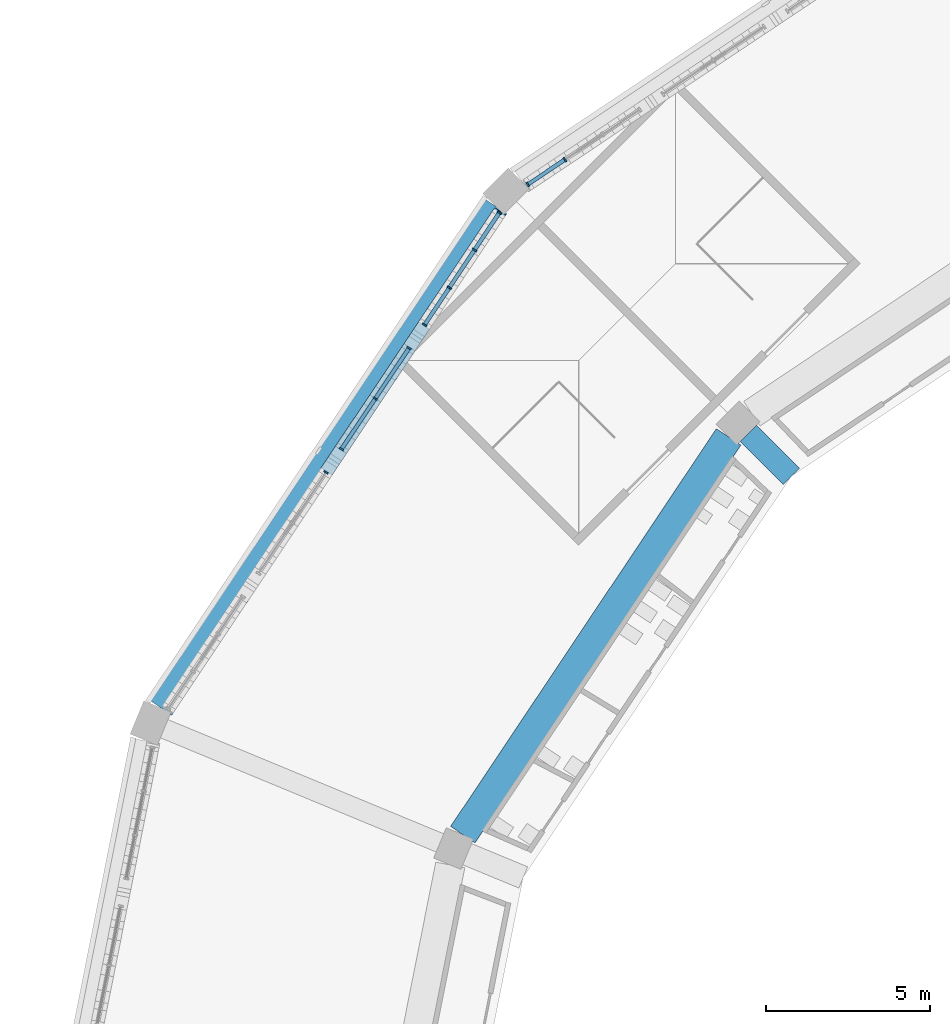
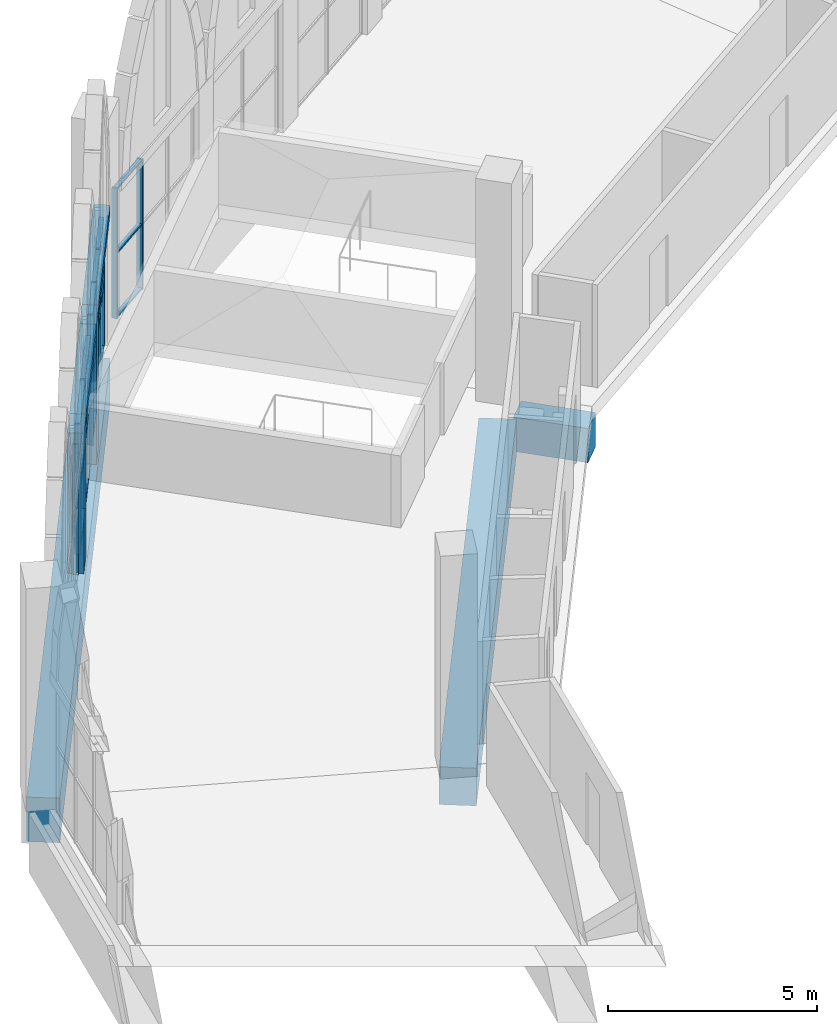
# One storey, part 32 of 130: 30 members, 5 beams, 4 elements without a shape of their own.
"""IFC4 building model written with IfcOpenShell, lengths in metres."""

from ifc_helpers import new_model, si_unit, direction, frame, origin, origin_2d, place, context, subcontext, project, spatial, rectangle, extrude, material, material_profile, profile_set, type_object, element, aggregate, save


model = new_model("IFC4")

# Units and contexts
model_context = context("Model", 3, precision=1e-05, world=origin(), true_north=direction((0.0, 1.0)))
body_context = subcontext(model_context, "Body", "Model", "MODEL_VIEW")
ifc_project = project(units=[si_unit("LENGTHUNIT", "METRE"), si_unit("AREAUNIT", "SQUARE_METRE"), si_unit("VOLUMEUNIT", "CUBIC_METRE"), si_unit("PLANEANGLEUNIT", "RADIAN"), si_unit("MASSUNIT", "GRAM", prefix="KILO")], contexts=[model_context])

# Site, building, storey
site_placement = place(None, origin())
site = spatial("IfcSite", under=ifc_project, at=site_placement, CompositionType="ELEMENT")
building_placement = place(site_placement, origin())
building = spatial("IfcBuilding", under=site, at=building_placement, Name="Ogive Plaza Stadium", CompositionType="ELEMENT")
storey_placement = place(building_placement, frame((0.0, 0.0, 22.5)))
storey = spatial("IfcBuildingStorey", under=building, at=storey_placement, Name="L05", CompositionType="ELEMENT", Elevation=22.5)

# Curtain wall, member
ifc_material_1 = material(Name="Bronze-anodised aluminium with laminated glass", Category="aluminium")
curtain_wall_type = type_object("IfcCurtainWallType", Name="Lancet curtain wall", PredefinedType="NOTDEFINED", material=ifc_material_1)
curtain_wall_1_placement = place(storey_placement, origin())
curtain_wall_1 = element("IfcCurtainWall", 1, at=curtain_wall_1_placement, inside=storey, type_object=curtain_wall_type, Name="CURTAIN WALL B29 L05", PredefinedType="NOTDEFINED")
ifc_material_2 = material(Name="Bronze-anodised aluminium", Category="aluminium")
ifc_material_profile_1 = material_profile(ifc_material_2, rectangle(XDim=0.14990234375, YDim=0.050048828125, at=origin_2d()), Name="AL 150x50")
ifc_profile_set_1 = profile_set([ifc_material_profile_1], Name="Bronze-anodised aluminium")
member_type_1 = type_object("IfcMemberType", Name="Curtain wall mullion 50x150", PredefinedType="MULLION", material=ifc_profile_set_1)
member_1_placement = place(storey_placement, frame((-74.844482421875, 79.2802734375, 0.0), z_axis=(0.0, 0.0, 1.0), x_axis=(-0.831469612157, 0.555570233237, 0.0)))
member_1 = element("IfcMember", 2, at=member_1_placement, type_object=member_type_1, Name="CW-B29-L05.2 mullion 3", PredefinedType="MULLION", context=body_context, shape_type="SweptSolid", body=[
    extrude(rectangle(XDim=0.14990234375, YDim=0.050048828125, at=origin_2d()), origin(), (0.0, 0.0, 1.0), 3.800048828125),
])
aggregate(curtain_wall_1, [member_1])

# Curtain wall, members
curtain_wall_2_placement = place(storey_placement, origin())
curtain_wall_2 = element("IfcCurtainWall", 3, at=curtain_wall_2_placement, inside=storey, type_object=curtain_wall_type, Name="CURTAIN WALL B29 L05", PredefinedType="NOTDEFINED")
member_2_placement = place(storey_placement, frame((-74.372314453125, 79.987060546875, 0.0), z_axis=(0.0, 0.0, 1.0), x_axis=(-0.831469612235, 0.555570233121, 0.0)))
member_2 = element("IfcMember", 4, at=member_2_placement, type_object=member_type_1, Name="CW-B29-L05.3 mullion 1", PredefinedType="MULLION", context=body_context, shape_type="SweptSolid", body=[
    extrude(rectangle(XDim=0.14990234375, YDim=0.050048828125, at=origin_2d()), origin(), (0.0, 0.0, 1.0), 3.800048828125),
])
member_3_placement = place(storey_placement, frame((-73.342529296875, 81.528076171875, 0.0), z_axis=(0.0, 0.0, 1.0), x_axis=(-0.831469612235, 0.555570233121, 0.0)))
member_3 = element("IfcMember", 5, at=member_3_placement, type_object=member_type_1, Name="CW-B29-L05.3 mullion 2", PredefinedType="MULLION", context=body_context, shape_type="SweptSolid", body=[
    extrude(rectangle(XDim=0.14990234375, YDim=0.050048828125, at=origin_2d()), origin(), (0.0, 0.0, 1.0), 3.800048828125),
])
member_4_placement = place(storey_placement, frame((-72.312744140625, 83.0693359375, 0.0), z_axis=(0.0, 0.0, 1.0), x_axis=(-0.831469612235, 0.555570233121, 0.0)))
member_4 = element("IfcMember", 6, at=member_4_placement, type_object=member_type_1, Name="CW-B29-L05.3 mullion 3", PredefinedType="MULLION", context=body_context, shape_type="SweptSolid", body=[
    extrude(rectangle(XDim=0.14990234375, YDim=0.050048828125, at=origin_2d()), origin(), (0.0, 0.0, 1.0), 3.800048828125),
])

curtain_wall_3_placement = place(storey_placement, origin())
curtain_wall_3 = element("IfcCurtainWall", 7, at=curtain_wall_3_placement, inside=storey, type_object=curtain_wall_type, Name="CURTAIN WALL B29 L05", PredefinedType="NOTDEFINED")
member_5_placement = place(storey_placement, frame((-71.840576171875, 83.776123046875, 0.0), z_axis=(0.0, 0.0, 1.0), x_axis=(-0.831469612312, 0.555570233005, 0.0)))
member_5 = element("IfcMember", 8, at=member_5_placement, type_object=member_type_1, Name="CW-B29-L05.4 mullion 1", PredefinedType="MULLION", context=body_context, shape_type="SweptSolid", body=[
    extrude(rectangle(XDim=0.14990234375, YDim=0.050048828125, at=origin_2d()), origin(), (0.0, 0.0, 1.0), 3.800048828125),
])
member_6_placement = place(storey_placement, frame((-71.08447265625, 84.907470703125, 0.0), z_axis=(0.0, 0.0, 1.0), x_axis=(-0.831469612312, 0.555570233005, 0.0)))
member_6 = element("IfcMember", 9, at=member_6_placement, type_object=member_type_1, Name="CW-B29-L05.4 mullion 2", PredefinedType="MULLION", context=body_context, shape_type="SweptSolid", body=[
    extrude(rectangle(XDim=0.14990234375, YDim=0.050048828125, at=origin_2d()), origin(), (0.0, 0.0, 1.0), 3.800048828125),
])
member_7_placement = place(storey_placement, frame((-70.314697265625, 86.0595703125, 0.0), z_axis=(0.0, 0.0, 1.0), x_axis=(-0.831469612312, 0.555570233005, 0.0)))
member_7 = element("IfcMember", 10, at=member_7_placement, type_object=member_type_1, Name="CW-B29-L05.4 mullion 3", PredefinedType="MULLION", context=body_context, shape_type="SweptSolid", body=[
    extrude(rectangle(XDim=0.14990234375, YDim=0.050048828125, at=origin_2d()), origin(), (0.0, 0.0, 1.0), 3.800048828125),
])
member_8_placement = place(storey_placement, frame((-69.55859375, 87.19091796875, 0.0), z_axis=(0.0, 0.0, 1.0), x_axis=(-0.831469612312, 0.555570233005, 0.0)))
member_8 = element("IfcMember", 11, at=member_8_placement, type_object=member_type_1, Name="CW-B29-L05.4 mullion 4", PredefinedType="MULLION", context=body_context, shape_type="SweptSolid", body=[
    extrude(rectangle(XDim=0.14990234375, YDim=0.050048828125, at=origin_2d()), origin(), (0.0, 0.0, 1.0), 3.800048828125),
])

curtain_wall_4_placement = place(storey_placement, origin())
curtain_wall_4 = element("IfcCurtainWall", 12, at=curtain_wall_4_placement, inside=storey, type_object=curtain_wall_type, Name="CURTAIN WALL B30 L05", PredefinedType="NOTDEFINED")
member_9_placement = place(storey_placement, frame((-68.69091796875, 88.05859375, 0.0), z_axis=(0.0, 0.0, 1.0), x_axis=(-0.555570233005, 0.831469612312, 0.0)))
member_9 = element("IfcMember", 13, at=member_9_placement, type_object=member_type_1, Name="CW-B30-L05.1 mullion 1", PredefinedType="MULLION", context=body_context, shape_type="SweptSolid", body=[
    extrude(rectangle(XDim=0.14990234375, YDim=0.050048828125, at=origin_2d()), origin(), (0.0, 0.0, 1.0), 3.800048828125),
])
member_10_placement = place(storey_placement, frame((-67.5595703125, 88.814697265625, 0.0), z_axis=(0.0, 0.0, 1.0), x_axis=(-0.555570233005, 0.831469612312, 0.0)))
member_10 = element("IfcMember", 14, at=member_10_placement, type_object=member_type_1, Name="CW-B30-L05.1 mullion 2", PredefinedType="MULLION", context=body_context, shape_type="SweptSolid", body=[
    extrude(rectangle(XDim=0.14990234375, YDim=0.050048828125, at=origin_2d()), origin(), (0.0, 0.0, 1.0), 3.800048828125),
])

# Member
ifc_material_3 = material(Name="Bronze-anodised aluminium", Category="aluminium")
ifc_material_profile_2 = material_profile(ifc_material_3, rectangle(XDim=0.1201171875, YDim=0.050048828125, at=origin_2d()), Name="AL 120x50")
ifc_profile_set_2 = profile_set([ifc_material_profile_2], Name="Bronze-anodised aluminium")
member_type_2 = type_object("IfcMemberType", Name="Curtain wall transom 50x120", PredefinedType="USERDEFINED", material=ifc_profile_set_2)
member_11_placement = place(storey_placement, frame((-74.3583984375, 80.0078125, 0.02490234375), z_axis=(0.555574613559, 0.831466685303, 0.0), x_axis=(-0.831466685303, 0.555574613559, 0.0)))
member_11 = element("IfcMember", 15, at=member_11_placement, type_object=member_type_2, Name="CW-B29-L05.3 transom 1.1", ObjectType="TRANSOM", PredefinedType="USERDEFINED", context=body_context, shape_type="SweptSolid", body=[
    extrude(rectangle(XDim=0.1201171875, YDim=0.050048828125, at=origin_2d()), origin(), (0.0, 0.0, 1.0), 1.803466796875),
])

member_12_placement = place(storey_placement, frame((-74.3583984375, 80.0078125, 1.89990234375), z_axis=(0.555574613559, 0.831466685303, 0.0), x_axis=(-0.831466685303, 0.555574613559, 0.0)))
member_12 = element("IfcMember", 16, at=member_12_placement, type_object=member_type_2, Name="CW-B29-L05.3 transom 1.2", ObjectType="TRANSOM", PredefinedType="USERDEFINED", context=body_context, shape_type="SweptSolid", body=[
    extrude(rectangle(XDim=0.1201171875, YDim=0.050048828125, at=origin_2d()), origin(), (0.0, 0.0, 1.0), 1.803466796875),
])

member_13_placement = place(storey_placement, frame((-74.3583984375, 80.0078125, 3.77490234375), z_axis=(0.555574613559, 0.831466685303, 0.0), x_axis=(-0.831466685303, 0.555574613559, 0.0)))
member_13 = element("IfcMember", 17, at=member_13_placement, type_object=member_type_2, Name="CW-B29-L05.3 transom 1.3", ObjectType="TRANSOM", PredefinedType="USERDEFINED", context=body_context, shape_type="SweptSolid", body=[
    extrude(rectangle(XDim=0.1201171875, YDim=0.050048828125, at=origin_2d()), origin(), (0.0, 0.0, 1.0), 1.803466796875),
])

member_14_placement = place(storey_placement, frame((-73.32861328125, 81.549072265625, 0.02490234375), z_axis=(0.555574613559, 0.831466685303, 0.0), x_axis=(-0.831466685303, 0.555574613559, 0.0)))
member_14 = element("IfcMember", 18, at=member_14_placement, type_object=member_type_2, Name="CW-B29-L05.3 transom 2.1", ObjectType="TRANSOM", PredefinedType="USERDEFINED", context=body_context, shape_type="SweptSolid", body=[
    extrude(rectangle(XDim=0.1201171875, YDim=0.050048828125, at=origin_2d()), origin(), (0.0, 0.0, 1.0), 1.803466796875),
])

member_15_placement = place(storey_placement, frame((-73.32861328125, 81.549072265625, 1.89990234375), z_axis=(0.555574613559, 0.831466685303, 0.0), x_axis=(-0.831466685303, 0.555574613559, 0.0)))
member_15 = element("IfcMember", 19, at=member_15_placement, type_object=member_type_2, Name="CW-B29-L05.3 transom 2.2", ObjectType="TRANSOM", PredefinedType="USERDEFINED", context=body_context, shape_type="SweptSolid", body=[
    extrude(rectangle(XDim=0.1201171875, YDim=0.050048828125, at=origin_2d()), origin(), (0.0, 0.0, 1.0), 1.803466796875),
])

member_16_placement = place(storey_placement, frame((-73.32861328125, 81.549072265625, 3.77490234375), z_axis=(0.555574613559, 0.831466685303, 0.0), x_axis=(-0.831466685303, 0.555574613559, 0.0)))
member_16 = element("IfcMember", 20, at=member_16_placement, type_object=member_type_2, Name="CW-B29-L05.3 transom 2.3", ObjectType="TRANSOM", PredefinedType="USERDEFINED", context=body_context, shape_type="SweptSolid", body=[
    extrude(rectangle(XDim=0.1201171875, YDim=0.050048828125, at=origin_2d()), origin(), (0.0, 0.0, 1.0), 1.803466796875),
])

aggregate(curtain_wall_2, [member_2, member_3, member_4, member_11, member_12, member_13, member_14, member_15, member_16])

member_17_placement = place(storey_placement, frame((-71.82666015625, 83.796875, 0.02490234375), z_axis=(0.555602496438, 0.83144805367, 0.0), x_axis=(-0.83144805367, 0.555602496438, 0.0)))
member_17 = element("IfcMember", 21, at=member_17_placement, type_object=member_type_2, Name="CW-B29-L05.4 transom 1.1", ObjectType="TRANSOM", PredefinedType="USERDEFINED", context=body_context, shape_type="SweptSolid", body=[
    extrude(rectangle(XDim=0.1201171875, YDim=0.050048828125, at=origin_2d()), origin(), (0.0, 0.0, 1.0), 1.310791015625),
])

member_18_placement = place(storey_placement, frame((-71.82666015625, 83.796875, 1.89990234375), z_axis=(0.555602496438, 0.83144805367, 0.0), x_axis=(-0.83144805367, 0.555602496438, 0.0)))
member_18 = element("IfcMember", 22, at=member_18_placement, type_object=member_type_2, Name="CW-B29-L05.4 transom 1.2", ObjectType="TRANSOM", PredefinedType="USERDEFINED", context=body_context, shape_type="SweptSolid", body=[
    extrude(rectangle(XDim=0.1201171875, YDim=0.050048828125, at=origin_2d()), origin(), (0.0, 0.0, 1.0), 1.310791015625),
])

member_19_placement = place(storey_placement, frame((-71.82666015625, 83.796875, 3.77490234375), z_axis=(0.555602496438, 0.83144805367, 0.0), x_axis=(-0.83144805367, 0.555602496438, 0.0)))
member_19 = element("IfcMember", 23, at=member_19_placement, type_object=member_type_2, Name="CW-B29-L05.4 transom 1.3", ObjectType="TRANSOM", PredefinedType="USERDEFINED", context=body_context, shape_type="SweptSolid", body=[
    extrude(rectangle(XDim=0.1201171875, YDim=0.050048828125, at=origin_2d()), origin(), (0.0, 0.0, 1.0), 1.310791015625),
])

member_20_placement = place(storey_placement, frame((-71.070556640625, 84.92822265625, 0.02490234375), z_axis=(0.555501406481, 0.831515596605, 0.0), x_axis=(-0.831515596605, 0.555501406481, 0.0)))
member_20 = element("IfcMember", 24, at=member_20_placement, type_object=member_type_2, Name="CW-B29-L05.4 transom 2.1", ObjectType="TRANSOM", PredefinedType="USERDEFINED", context=body_context, shape_type="SweptSolid", body=[
    extrude(rectangle(XDim=0.1201171875, YDim=0.050048828125, at=origin_2d()), origin(), (0.0, 0.0, 1.0), 1.335693359375),
])

member_21_placement = place(storey_placement, frame((-71.070556640625, 84.92822265625, 1.89990234375), z_axis=(0.555501406481, 0.831515596605, 0.0), x_axis=(-0.831515596605, 0.555501406481, 0.0)))
member_21 = element("IfcMember", 25, at=member_21_placement, type_object=member_type_2, Name="CW-B29-L05.4 transom 2.2", ObjectType="TRANSOM", PredefinedType="USERDEFINED", context=body_context, shape_type="SweptSolid", body=[
    extrude(rectangle(XDim=0.1201171875, YDim=0.050048828125, at=origin_2d()), origin(), (0.0, 0.0, 1.0), 1.335693359375),
])

member_22_placement = place(storey_placement, frame((-71.070556640625, 84.92822265625, 3.77490234375), z_axis=(0.555501406481, 0.831515596605, 0.0), x_axis=(-0.831515596605, 0.555501406481, 0.0)))
member_22 = element("IfcMember", 26, at=member_22_placement, type_object=member_type_2, Name="CW-B29-L05.4 transom 2.3", ObjectType="TRANSOM", PredefinedType="USERDEFINED", context=body_context, shape_type="SweptSolid", body=[
    extrude(rectangle(XDim=0.1201171875, YDim=0.050048828125, at=origin_2d()), origin(), (0.0, 0.0, 1.0), 1.335693359375),
])

member_23_placement = place(storey_placement, frame((-70.30078125, 86.080322265625, 0.02490234375), z_axis=(0.555602496438, 0.83144805367, 0.0), x_axis=(-0.83144805367, 0.555602496438, 0.0)))
member_23 = element("IfcMember", 27, at=member_23_placement, type_object=member_type_2, Name="CW-B29-L05.4 transom 3.1", ObjectType="TRANSOM", PredefinedType="USERDEFINED", context=body_context, shape_type="SweptSolid", body=[
    extrude(rectangle(XDim=0.1201171875, YDim=0.050048828125, at=origin_2d()), origin(), (0.0, 0.0, 1.0), 1.310791015625),
])

member_24_placement = place(storey_placement, frame((-70.30078125, 86.080322265625, 1.89990234375), z_axis=(0.555602496438, 0.83144805367, 0.0), x_axis=(-0.83144805367, 0.555602496438, 0.0)))
member_24 = element("IfcMember", 28, at=member_24_placement, type_object=member_type_2, Name="CW-B29-L05.4 transom 3.2", ObjectType="TRANSOM", PredefinedType="USERDEFINED", context=body_context, shape_type="SweptSolid", body=[
    extrude(rectangle(XDim=0.1201171875, YDim=0.050048828125, at=origin_2d()), origin(), (0.0, 0.0, 1.0), 1.310791015625),
])

member_25_placement = place(storey_placement, frame((-70.30078125, 86.080322265625, 3.77490234375), z_axis=(0.555602496438, 0.83144805367, 0.0), x_axis=(-0.83144805367, 0.555602496438, 0.0)))
member_25 = element("IfcMember", 29, at=member_25_placement, type_object=member_type_2, Name="CW-B29-L05.4 transom 3.3", ObjectType="TRANSOM", PredefinedType="USERDEFINED", context=body_context, shape_type="SweptSolid", body=[
    extrude(rectangle(XDim=0.1201171875, YDim=0.050048828125, at=origin_2d()), origin(), (0.0, 0.0, 1.0), 1.310791015625),
])

aggregate(curtain_wall_3, [member_5, member_6, member_7, member_8, member_17, member_18, member_19, member_20, member_21, member_22, member_23, member_24, member_25])

member_26_placement = place(storey_placement, frame((-68.670166015625, 88.072509765625, 0.02490234375), z_axis=(0.83144805367, 0.555602496438, 0.0), x_axis=(-0.555602496438, 0.83144805367, 0.0)))
member_26 = element("IfcMember", 30, at=member_26_placement, type_object=member_type_2, Name="CW-B30-L05.1 transom 1.1", ObjectType="TRANSOM", PredefinedType="USERDEFINED", context=body_context, shape_type="SweptSolid", body=[
    extrude(rectangle(XDim=0.1201171875, YDim=0.050048828125, at=origin_2d()), origin(), (0.0, 0.0, 1.0), 1.310791015625),
])

member_27_placement = place(storey_placement, frame((-68.670166015625, 88.072509765625, 1.89990234375), z_axis=(0.83144805367, 0.555602496438, 0.0), x_axis=(-0.555602496438, 0.83144805367, 0.0)))
member_27 = element("IfcMember", 31, at=member_27_placement, type_object=member_type_2, Name="CW-B30-L05.1 transom 1.2", ObjectType="TRANSOM", PredefinedType="USERDEFINED", context=body_context, shape_type="SweptSolid", body=[
    extrude(rectangle(XDim=0.1201171875, YDim=0.050048828125, at=origin_2d()), origin(), (0.0, 0.0, 1.0), 1.310791015625),
])

member_28_placement = place(storey_placement, frame((-68.670166015625, 88.072509765625, 3.77490234375), z_axis=(0.83144805367, 0.555602496438, 0.0), x_axis=(-0.555602496438, 0.83144805367, 0.0)))
member_28 = element("IfcMember", 32, at=member_28_placement, type_object=member_type_2, Name="CW-B30-L05.1 transom 1.3", ObjectType="TRANSOM", PredefinedType="USERDEFINED", context=body_context, shape_type="SweptSolid", body=[
    extrude(rectangle(XDim=0.1201171875, YDim=0.050048828125, at=origin_2d()), origin(), (0.0, 0.0, 1.0), 1.310791015625),
])

aggregate(curtain_wall_4, [member_9, member_10, member_26, member_27, member_28])

# Members
ifc_material_4 = material(Name="Concrete C45/55 precast", Category="concrete")
ifc_material_profile_3 = material_profile(ifc_material_4, rectangle(XDim=0.39990234375, YDim=0.800048828125, at=origin_2d()), Name="RC 400x800")
ifc_profile_set_3 = profile_set([ifc_material_profile_3], Name="Concrete C45/55 precast")
member_type_3 = type_object("IfcMemberType", Name="Precast colonette 800x400", PredefinedType="POST", material=ifc_profile_set_3)
for number, where, z_axis, x_axis, name in (
    (33, (-74.6083984375, 79.633544921875, 0.0), (0.0, 0.0, 1.0), (-0.831469612303, 0.55557023302, 0.0), "COLONETTE B29 2"),
    (34, (-72.07666015625, 83.422607421875, 0.0), (0.0, 0.0, 1.0), (-0.831469612303, 0.55557023302, 0.0), "COLONETTE B29 3"),
):
    element("IfcMember", number, at=place(storey_placement, frame(where, z_axis=z_axis, x_axis=x_axis)), inside=storey, type_object=member_type_3, Name=name, PredefinedType="POST", context=body_context, shape_type="SweptSolid", body=[
        extrude(rectangle(XDim=0.39990234375, YDim=0.800048828125, at=origin_2d()), origin(), (0.0, 0.0, 1.0), 4.10009765625),
    ])

# Beams
ifc_material_5 = material(Name="Concrete C45/55 precast", Category="concrete")
ifc_material_profile_4 = material_profile(ifc_material_5, rectangle(XDim=0.39990234375, YDim=0.300048828125, at=origin_2d()), Name="RC 400x300")
ifc_profile_set_4 = profile_set([ifc_material_profile_4], Name="Concrete C45/55 precast")
beam_type_1 = type_object("IfcBeamType", Name="Precast tympanum lintel 400x300", PredefinedType="BEAM", material=ifc_profile_set_4)
beam_1_placement = place(storey_placement, frame((-74.40283203125, 79.94140625, 3.949951171875), z_axis=(0.555585528171, 0.831459392206, 0.0), x_axis=(-0.831459392206, 0.555585528171, 0.0)))
element("IfcBeam", 35, at=beam_1_placement, inside=storey, type_object=beam_type_1, Name="TYMPANUM LINTEL B29 3", PredefinedType="BEAM", context=body_context, shape_type="SweptSolid", body=[
    extrude(rectangle(XDim=0.39990234375, YDim=0.300048828125, at=origin_2d()), origin(), (0.0, 0.0, 1.0), 3.81689453125),
])
beam_2_placement = place(storey_placement, frame((-71.87109375, 83.73046875, 3.949951171875), z_axis=(0.555594983424, 0.831453074078, 0.0), x_axis=(-0.831453074078, 0.555594983424, 0.0)))
element("IfcBeam", 36, at=beam_2_placement, inside=storey, type_object=beam_type_1, Name="TYMPANUM LINTEL B29 4", PredefinedType="BEAM", context=body_context, shape_type="SweptSolid", body=[
    extrude(rectangle(XDim=0.39990234375, YDim=0.300048828125, at=origin_2d()), origin(), (0.0, 0.0, 1.0), 4.217041015625),
])
ifc_material_6 = material(Name="Concrete C40/50", Category="concrete")
ifc_material_profile_5 = material_profile(ifc_material_6, rectangle(XDim=0.699951171875, YDim=1.0, at=origin_2d()), Name="RC 700x1000")
ifc_profile_set_5 = profile_set([ifc_material_profile_5], Name="Concrete C40/50")
beam_type_2 = type_object("IfcBeamType", Name="RC radial beam 700x1000", PredefinedType="BEAM", material=ifc_profile_set_5)
beam_3_placement = place(storey_placement, frame((-60.657958984375, 79.157958984375, -0.909912109375), z_axis=(-0.707106781187, 0.707106781187, 0.0), x_axis=(-0.707106781187, -0.707106781187, 0.0)))
element("IfcBeam", 37, at=beam_3_placement, inside=storey, type_object=beam_type_2, Name="Raker tail beam UT R30", PredefinedType="BEAM", context=body_context, shape_type="SweptSolid", body=[
    extrude(rectangle(XDim=0.699951171875, YDim=1.0, at=origin_2d()), origin(), (0.0, 0.0, 1.0), 1.849853515625),
])
ifc_material_7 = material(Name="Concrete C40/50", Category="concrete")
ifc_material_profile_6 = material_profile(ifc_material_7, rectangle(XDim=0.89990234375, YDim=1.10009765625, at=origin_2d()), Name="RC 900x1100")
ifc_profile_set_6 = profile_set([ifc_material_profile_6], Name="Concrete C40/50")
beam_type_3 = type_object("IfcBeamType", Name="RC ring beam 900x1100", PredefinedType="BEAM", material=ifc_profile_set_6)
beam_4_placement = place(storey_placement, frame((-70.671875, 68.231201171875, -0.9599609375), z_axis=(0.555572744827, 0.831467933961, 0.0), x_axis=(-0.831467933961, 0.555572744827, 0.0)))
element("IfcBeam", 38, at=beam_4_placement, inside=storey, type_object=beam_type_3, Name="Ring beam F4 L05 B29", PredefinedType="BEAM", context=body_context, shape_type="SweptSolid", body=[
    extrude(rectangle(XDim=0.89990234375, YDim=1.10009765625, at=origin_2d()), origin(), (0.0, 0.0, 1.0), 14.587646484375),
])
ifc_material_8 = material(Name="Concrete C40/50", Category="concrete")
ifc_material_profile_7 = material_profile(ifc_material_8, rectangle(XDim=0.800048828125, YDim=1.300048828125, at=origin_2d()), Name="RC 800x1300")
ifc_profile_set_7 = profile_set([ifc_material_profile_7], Name="Concrete C40/50")
beam_type_4 = type_object("IfcBeamType", Name="RC spandrel beam 800x1300", PredefinedType="SPANDREL", material=ifc_profile_set_7)
beam_5_placement = place(storey_placement, frame((-79.88232421875, 72.100341796875, -1.06005859375), z_axis=(0.555557833169, 0.831477897484, 0.0), x_axis=(-0.831477897484, 0.555557833169, 0.0)))
element("IfcBeam", 39, at=beam_5_placement, inside=storey, type_object=beam_type_4, Name="Ring beam F5 L05 B29", PredefinedType="SPANDREL", context=body_context, shape_type="SweptSolid", body=[
    extrude(rectangle(XDim=0.800048828125, YDim=1.300048828125, at=origin_2d()), origin(), (0.0, 0.0, 1.0), 18.387451171875),
])

save(model, "model.ifc")
